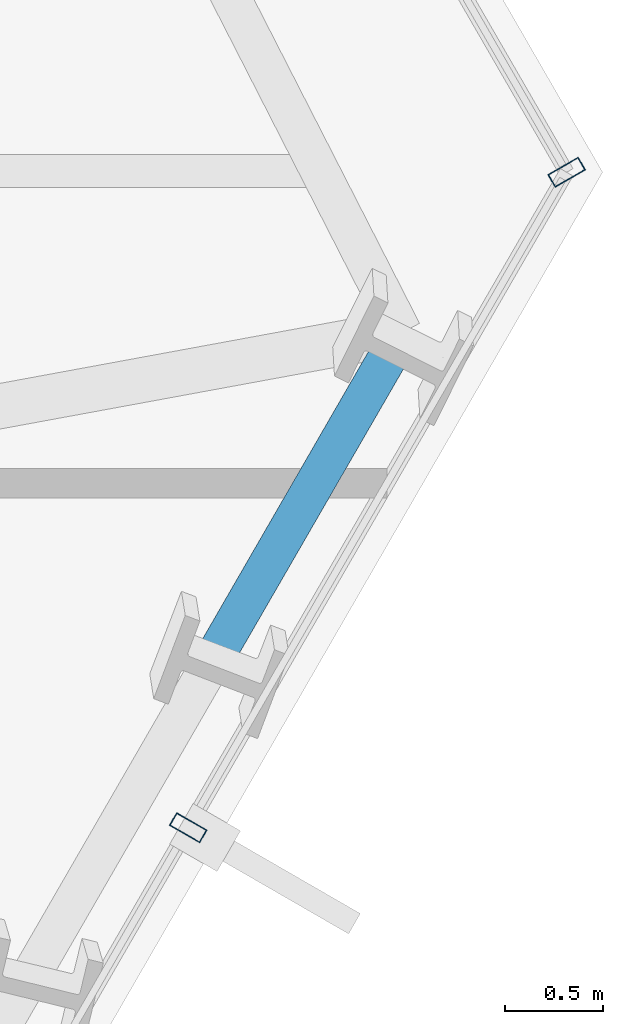
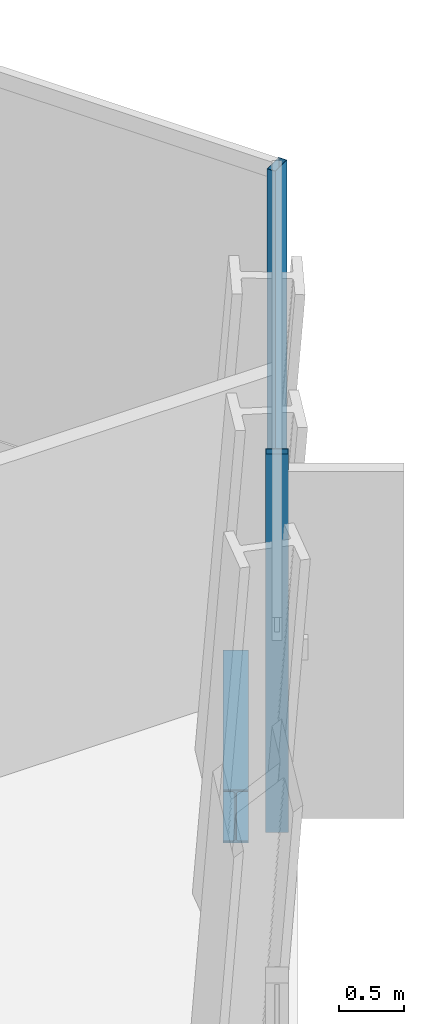
# One storey, part 17 of 32: 2 members, 1 beam, 2 elements without a shape of their own.
"""IFC4 building model written with IfcOpenShell, lengths in metres."""

from ifc_helpers import new_model, si_unit, direction, frame, origin, origin_2d, place, context, subcontext, project, spatial, hollow_rectangle, i_section, extrude, material, layer, layer_set, material_profile, profile_set, type_object, element, aggregate, save


model = new_model("IFC4")

# Units and contexts
model_context = context("Model", 3, precision=1e-05, world=origin(), true_north=direction((0.0, 1.0)))
body_context = subcontext(model_context, "Body", "Model", "MODEL_VIEW")
ifc_project = project(units=[si_unit("LENGTHUNIT", "METRE"), si_unit("AREAUNIT", "SQUARE_METRE"), si_unit("VOLUMEUNIT", "CUBIC_METRE"), si_unit("PLANEANGLEUNIT", "RADIAN"), si_unit("MASSUNIT", "GRAM", prefix="KILO")], contexts=[model_context])

# Site, building, storey
site_placement = place(None, origin())
site = spatial("IfcSite", under=ifc_project, at=site_placement, CompositionType="ELEMENT")
building_placement = place(site_placement, origin())
building = spatial("IfcBuilding", under=site, at=building_placement, Name="Ndaravel Arena Tower", CompositionType="ELEMENT")
storey_placement = place(building_placement, frame((0.0, 0.0, 66.39990234375)))
storey = spatial("IfcBuildingStorey", under=building, at=storey_placement, Name="L14", CompositionType="ELEMENT", Elevation=66.39990234375)

# Beam
ifc_material_1 = material(Name="Steel S355", Category="steel")
ifc_material_profile_1 = material_profile(ifc_material_1, i_section(OverallWidth=0.199951171875, OverallDepth=0.5, WebThickness=0.01025390625, FlangeThickness=0.01611328125, FilletRadius=0.02099609375, at=origin_2d()), Name="IPE 500")
ifc_profile_set_1 = profile_set([ifc_material_profile_1], Name="Steel S355")
beam_type = type_object("IfcBeamType", Name="BM-SPAN-IPE500", PredefinedType="SPANDREL", material=ifc_profile_set_1)
beam_placement = place(storey_placement, frame((63.701904296875, 16.135009765625, -0.469970703125), z_axis=(0.50000898992, 0.86602021339, 0.0), x_axis=(-0.86602021339, 0.50000898992, 0.0)))
element("IfcBeam", 1, at=beam_placement, inside=storey, type_object=beam_type, Name="L14 Perimeter Spandrel Beam SP-08", PredefinedType="SPANDREL", context=body_context, shape_type="SweptSolid", body=[
    extrude(i_section(OverallWidth=0.199951171875, OverallDepth=0.5, WebThickness=0.01025390625, FlangeThickness=0.01611328125, FilletRadius=0.02099609375, at=origin_2d()), origin(), (0.0, 0.0, 1.0), 1.89306640625),
])

# Curtain wall, member
ifc_material_2 = material(Name="Aluminium", Category="aluminium")
ifc_layer_1 = layer(ifc_material_2, 0.179931640625)
ifc_layer_set_1 = layer_set([ifc_layer_1], Name="Aluminium")
curtain_wall_type_1 = type_object("IfcCurtainWallType", Name="CW-SYS-01", PredefinedType="NOTDEFINED", material=ifc_layer_set_1)
curtain_wall_1_placement = place(storey_placement, origin())
curtain_wall_1 = element("IfcCurtainWall", 2, at=curtain_wall_1_placement, inside=storey, type_object=curtain_wall_type_1, Name="L14 Faceted Crystal Curtain Wall CW-L14-E02", PredefinedType="NOTDEFINED")
ifc_material_3 = material(Name="Aluminium", Category="aluminium")
ifc_material_profile_2 = material_profile(ifc_material_3, hollow_rectangle(XDim=0.074951171875, YDim=0.179931640625, WallThickness=0.00390625, at=origin_2d()), Name="CW MULLION 75x180x4")
ifc_profile_set_2 = profile_set([ifc_material_profile_2], Name="Aluminium")
member_type = type_object("IfcMemberType", Name="MEM-CW-MUL180", PredefinedType="MULLION", material=ifc_profile_set_2)
member_1_placement = place(storey_placement, frame((63.552001953125, 15.2353515625, 0.0), z_axis=(0.0, 0.0, 1.0), x_axis=(0.5, 0.866025403784, 0.0)))
member_1 = element("IfcMember", 3, at=member_1_placement, type_object=member_type, Name="CW-L14-E02 Mullion 03", PredefinedType="MULLION", context=body_context, shape_type="SweptSolid", body=[
    extrude(hollow_rectangle(XDim=0.074951171875, YDim=0.179931640625, WallThickness=0.00390625, at=origin_2d()), origin(), (0.0, 0.0, 1.0), 3.580078125),
])
aggregate(curtain_wall_1, [member_1])

ifc_material_4 = material(Name="Aluminium", Category="aluminium")
ifc_layer_2 = layer(ifc_material_4, 0.179931640625)
ifc_layer_set_2 = layer_set([ifc_layer_2], Name="Aluminium")
curtain_wall_type_2 = type_object("IfcCurtainWallType", Name="CW-SYS-03", PredefinedType="NOTDEFINED", material=ifc_layer_set_2)
curtain_wall_2_placement = place(storey_placement, origin())
curtain_wall_2 = element("IfcCurtainWall", 4, at=curtain_wall_2_placement, inside=storey, type_object=curtain_wall_type_2, Name="L14 Faceted Crystal Curtain Wall CW-L14-E03", PredefinedType="NOTDEFINED")
member_2_placement = place(storey_placement, frame((65.4912109375, 18.593994140625, 0.0), z_axis=(0.0, 0.0, 1.0), x_axis=(-0.5, 0.866025403784, 0.0)))
member_2 = element("IfcMember", 5, at=member_2_placement, type_object=member_type, Name="CW-L14-E03 Mullion 00", PredefinedType="MULLION", context=body_context, shape_type="SweptSolid", body=[
    extrude(hollow_rectangle(XDim=0.074951171875, YDim=0.179931640625, WallThickness=0.00390625, at=origin_2d()), origin(), (0.0, 0.0, 1.0), 3.580078125),
])
aggregate(curtain_wall_2, [member_2])

save(model, "model.ifc")
